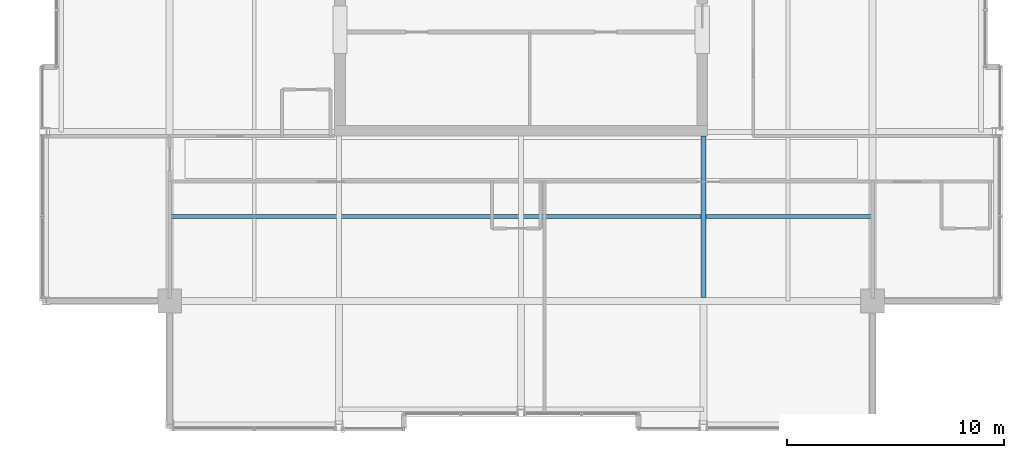
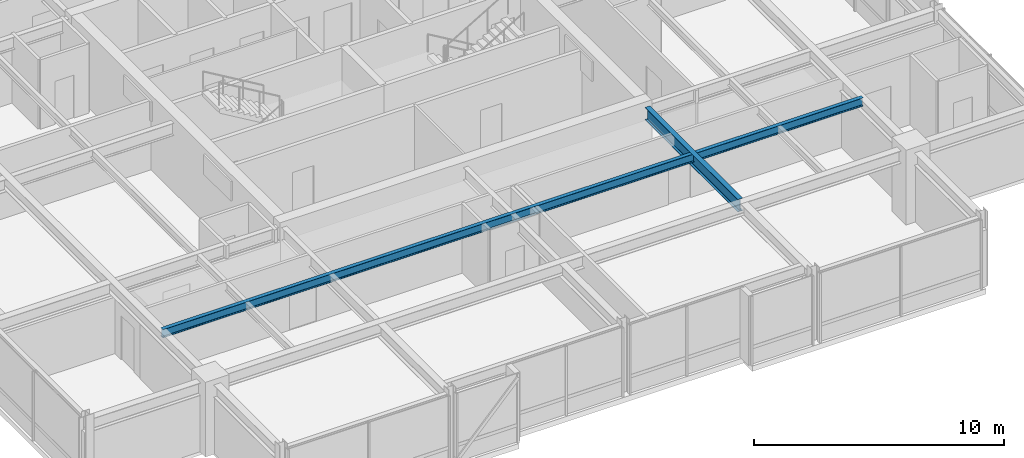
# One storey, part 10 of 33: 2 beams.
"""IFC4 building model written with IfcOpenShell, lengths in metres."""

from ifc_helpers import new_model, si_unit, direction, frame, origin, origin_2d, place, context, subcontext, project, spatial, i_section, extrude, material, material_profile, profile_set, type_object, element, save


model = new_model("IFC4")

# Units and contexts
model_context = context("Model", 3, precision=1e-05, world=origin(), true_north=direction((0.0, 1.0)))
body_context = subcontext(model_context, "Body", "Model", "MODEL_VIEW")
ifc_project = project(units=[si_unit("LENGTHUNIT", "METRE"), si_unit("AREAUNIT", "SQUARE_METRE"), si_unit("VOLUMEUNIT", "CUBIC_METRE"), si_unit("PLANEANGLEUNIT", "RADIAN"), si_unit("MASSUNIT", "GRAM", prefix="KILO")], contexts=[model_context])

# Site, building, storey
site_placement = place(None, origin())
site = spatial("IfcSite", under=ifc_project, at=site_placement, CompositionType="ELEMENT")
building_placement = place(site_placement, origin())
building = spatial("IfcBuilding", under=site, at=building_placement, Name="Drelvath Grand Hotel", CompositionType="ELEMENT")
storey_placement = place(building_placement, frame((0.0, 0.0, 283.25)))
storey = spatial("IfcBuildingStorey", under=building, at=storey_placement, Name="L74", CompositionType="ELEMENT", Elevation=283.25)

# Beams
ifc_material = material(Name="Steel ASTM A992 Gr 50", Category="steel")
ifc_material_profile_1 = material_profile(ifc_material, i_section(OverallWidth=0.177734375, OverallDepth=0.40673828125, WebThickness=0.0078125, FlangeThickness=0.0126953125, FilletRadius=0.014892578125, at=origin_2d()), Name="W16X40")
ifc_profile_set_1 = profile_set([ifc_material_profile_1], Name="Steel ASTM A992 Gr 50")
beam_type_1 = type_object("IfcBeamType", Name="Composite Floor Joist W16X40", PredefinedType="JOIST", material=ifc_profile_set_1)
beam_1_placement = place(storey_placement, frame((-16.199951171875, 14.699951171875, 3.1865234375), z_axis=(1.0, 0.0, 0.0), x_axis=(0.0, 1.0, 0.0)))
element("IfcBeam", 1, at=beam_1_placement, inside=storey, type_object=beam_type_1, Name="L74 Floor Joist J1", PredefinedType="JOIST", context=body_context, shape_type="SweptSolid", body=[
    extrude(i_section(OverallWidth=0.177734375, OverallDepth=0.40673828125, WebThickness=0.0078125, FlangeThickness=0.0126953125, FilletRadius=0.014892578125, at=origin_2d()), origin(), (0.0, 0.0, 1.0), 32.39990234375),
])
ifc_material_profile_2 = material_profile(ifc_material, i_section(OverallWidth=0.228271484375, OverallDepth=0.607666015625, WebThickness=0.01123046875, FlangeThickness=0.017333984375, FilletRadius=0.02001953125, at=origin_2d()), Name="W24X76")
ifc_profile_set_2 = profile_set([ifc_material_profile_2], Name="Steel ASTM A992 Gr 50")
beam_type_2 = type_object("IfcBeamType", Name="Primary Floor Girder W24X76", PredefinedType="BEAM", material=ifc_profile_set_2)
beam_2_placement = place(storey_placement, frame((8.39990234375, 10.9619140625, 3.086181640625), z_axis=(0.0, 1.0, 0.0), x_axis=(-1.0, 0.0, 0.0)))
element("IfcBeam", 2, at=beam_2_placement, inside=storey, type_object=beam_type_2, Name="L74 South Core Tie 6", PredefinedType="BEAM", context=body_context, shape_type="SweptSolid", body=[
    extrude(i_section(OverallWidth=0.228271484375, OverallDepth=0.607666015625, WebThickness=0.01123046875, FlangeThickness=0.017333984375, FilletRadius=0.02001953125, at=origin_2d()), origin(), (0.0, 0.0, 1.0), 7.43798828125),
])

save(model, "model.ifc")
